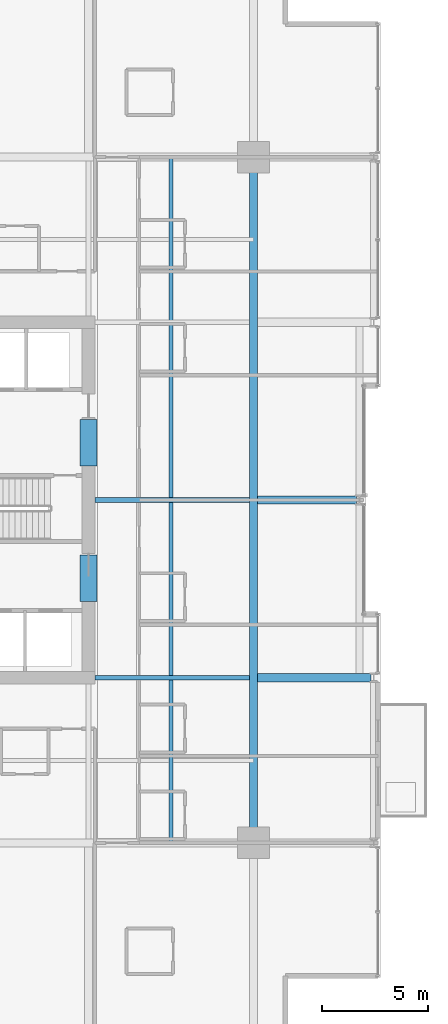
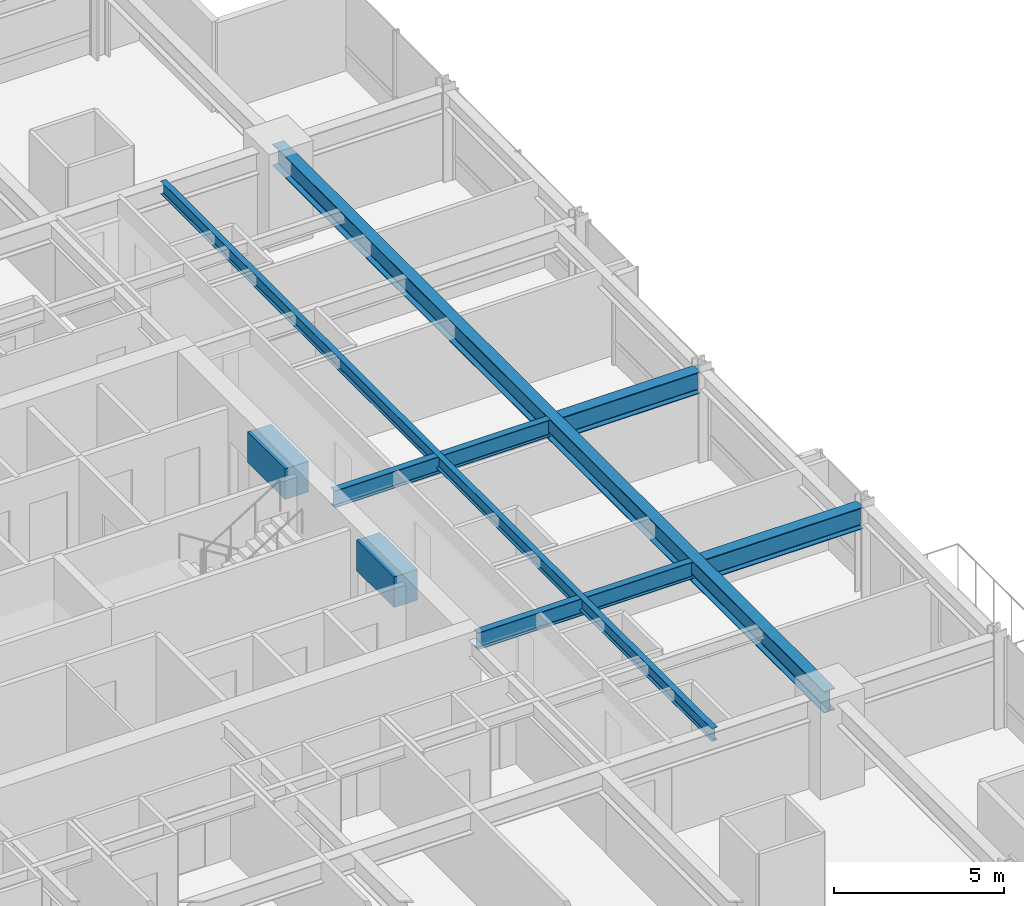
# One storey, part 14 of 35: 8 beams.
"""IFC4 building model written with IfcOpenShell, lengths in metres."""

from ifc_helpers import new_model, si_unit, direction, frame, origin, origin_2d, place, context, subcontext, project, spatial, rectangle, i_section, extrude, material, material_profile, profile_set, type_object, element, save


model = new_model("IFC4")

# Units and contexts
model_context = context("Model", 3, precision=1e-05, world=origin(), true_north=direction((0.0, 1.0)))
body_context = subcontext(model_context, "Body", "Model", "MODEL_VIEW")
ifc_project = project(units=[si_unit("LENGTHUNIT", "METRE"), si_unit("AREAUNIT", "SQUARE_METRE"), si_unit("VOLUMEUNIT", "CUBIC_METRE"), si_unit("PLANEANGLEUNIT", "RADIAN"), si_unit("MASSUNIT", "GRAM", prefix="KILO")], contexts=[model_context])

# Site, building, storey
site_placement = place(None, origin())
site = spatial("IfcSite", under=ifc_project, at=site_placement, CompositionType="ELEMENT")
building_placement = place(site_placement, origin())
building = spatial("IfcBuilding", under=site, at=building_placement, Name="Drelvath Grand Hotel", CompositionType="ELEMENT")
storey_placement = place(building_placement, frame((0.0, 0.0, 95.300048828125)))
storey = spatial("IfcBuildingStorey", under=building, at=storey_placement, Name="L23", CompositionType="ELEMENT", Elevation=95.300048828125)

# Beams
ifc_material_1 = material(Name="Steel ASTM A992 Gr 50", Category="steel")
ifc_material_profile_1 = material_profile(ifc_material_1, i_section(OverallWidth=0.19140625, OverallDepth=0.4599609375, WebThickness=0.010009765625, FlangeThickness=0.01611328125, FilletRadius=0.01611328125, at=origin_2d()), Name="W18X55")
ifc_profile_set_1 = profile_set([ifc_material_profile_1], Name="Steel ASTM A992 Gr 50")
beam_type_1 = type_object("IfcBeamType", Name="Composite Floor Joist W18X55", PredefinedType="JOIST", material=ifc_profile_set_1)
beam_1_placement = place(storey_placement, frame((12.300048828125, 10.800048828125, 3.010009765625), z_axis=(0.0, 1.0, 0.0), x_axis=(-1.0, 0.0, 0.0)))
element("IfcBeam", 1, at=beam_1_placement, inside=storey, type_object=beam_type_1, Name="L23 Wing Floor Joist J4", PredefinedType="JOIST", context=body_context, shape_type="SweptSolid", body=[
    extrude(i_section(OverallWidth=0.19140625, OverallDepth=0.4599609375, WebThickness=0.010009765625, FlangeThickness=0.01611328125, FilletRadius=0.01611328125, at=origin_2d()), origin(), (0.0, 0.0, 1.0), 32.39990234375),
])
ifc_material_2 = material(Name="Concrete f'c 70 MPa", Category="concrete")
ifc_material_profile_2 = material_profile(ifc_material_2, rectangle(XDim=0.800048828125, YDim=1.10009765625, at=origin_2d()), Name="CB800X1100")
ifc_profile_set_2 = profile_set([ifc_material_profile_2], Name="Concrete f'c 70 MPa")
beam_type_2 = type_object("IfcBeamType", Name="Core Coupling Lintel CB800X1100", PredefinedType="LINTEL", material=ifc_profile_set_2)
for number, where, z_axis, x_axis, name in (
    (2, (8.39990234375, 22.199951171875, 2.68994140625), (0.0, 1.0, 0.0), (-1.0, 0.0, 0.0), "L23 Core Coupling Lintel ES"),
    (3, (8.39990234375, 28.60009765625, 2.68994140625), (0.0, 1.0, 0.0), (-1.0, 0.0, 0.0), "L23 Core Coupling Lintel EN"),
):
    element("IfcBeam", number, at=place(storey_placement, frame(where, z_axis=z_axis, x_axis=x_axis)), inside=storey, type_object=beam_type_2, Name=name, PredefinedType="LINTEL", context=body_context, shape_type="SweptSolid", body=[
        extrude(rectangle(XDim=0.800048828125, YDim=1.10009765625, at=origin_2d()), origin(), (0.0, 0.0, 1.0), 2.199951171875),
    ])
ifc_material_profile_3 = material_profile(ifc_material_1, i_section(OverallWidth=0.228271484375, OverallDepth=0.607666015625, WebThickness=0.01123046875, FlangeThickness=0.017333984375, FilletRadius=0.02001953125, at=origin_2d()), Name="W24X76")
ifc_profile_set_3 = profile_set([ifc_material_profile_3], Name="Steel ASTM A992 Gr 50")
beam_type_3 = type_object("IfcBeamType", Name="Primary Floor Girder W24X76", PredefinedType="BEAM", material=ifc_profile_set_3)
for number, where, z_axis, x_axis, name in (
    (4, (8.699951171875, 18.60009765625, 2.93603515625), (1.0, 0.0, 0.0), (0.0, 1.0, 0.0), "L23 East Core Tie D"),
    (5, (8.699951171875, 27.0, 2.93603515625), (1.0, 0.0, 0.0), (0.0, 1.0, 0.0), "L23 East Core Tie E"),
):
    element("IfcBeam", number, at=place(storey_placement, frame(where, z_axis=z_axis, x_axis=x_axis)), inside=storey, type_object=beam_type_3, Name=name, PredefinedType="BEAM", context=body_context, shape_type="SweptSolid", body=[
        extrude(i_section(OverallWidth=0.228271484375, OverallDepth=0.607666015625, WebThickness=0.01123046875, FlangeThickness=0.017333984375, FilletRadius=0.02001953125, at=origin_2d()), origin(), (0.0, 0.0, 1.0), 7.309814453125),
    ])
ifc_material_profile_4 = material_profile(ifc_material_1, i_section(OverallWidth=0.380615234375, OverallDepth=0.773193359375, WebThickness=0.0166015625, FlangeThickness=0.027099609375, FilletRadius=0.02490234375, at=origin_2d()), Name="W30X173")
ifc_profile_set_4 = profile_set([ifc_material_profile_4], Name="Steel ASTM A992 Gr 50")
beam_type_4 = type_object("IfcBeamType", Name="Primary Floor Girder W30X173", PredefinedType="BEAM", material=ifc_profile_set_4)
beam_2_placement = place(storey_placement, frame((16.199951171875, 10.800048828125, 2.853271484375), z_axis=(0.0, 1.0, 0.0), x_axis=(-1.0, 0.0, 0.0)))
element("IfcBeam", 6, at=beam_2_placement, inside=storey, type_object=beam_type_4, Name="L23 Mega Ring Girder East", PredefinedType="BEAM", context=body_context, shape_type="SweptSolid", body=[
    extrude(i_section(OverallWidth=0.380615234375, OverallDepth=0.773193359375, WebThickness=0.0166015625, FlangeThickness=0.027099609375, FilletRadius=0.02490234375, at=origin_2d()), origin(), (0.0, 0.0, 1.0), 32.39990234375),
])
beam_3_placement = place(storey_placement, frame((16.390380859375, 18.60009765625, 2.853271484375), z_axis=(1.0, 0.0, 0.0), x_axis=(0.0, 1.0, 0.0)))
element("IfcBeam", 7, at=beam_3_placement, inside=storey, type_object=beam_type_4, Name="L23 East Wing Girder D", PredefinedType="BEAM", context=body_context, shape_type="SweptSolid", body=[
    extrude(i_section(OverallWidth=0.380615234375, OverallDepth=0.773193359375, WebThickness=0.0166015625, FlangeThickness=0.027099609375, FilletRadius=0.02490234375, at=origin_2d()), origin(), (0.0, 0.0, 1.0), 5.349609375),
])
beam_4_placement = place(storey_placement, frame((16.390380859375, 27.0, 2.853271484375), z_axis=(1.0, 0.0, 0.0), x_axis=(0.0, 1.0, 0.0)))
element("IfcBeam", 8, at=beam_4_placement, inside=storey, type_object=beam_type_4, Name="L23 East Wing Girder E", PredefinedType="BEAM", context=body_context, shape_type="SweptSolid", body=[
    extrude(i_section(OverallWidth=0.380615234375, OverallDepth=0.773193359375, WebThickness=0.0166015625, FlangeThickness=0.027099609375, FilletRadius=0.02490234375, at=origin_2d()), origin(), (0.0, 0.0, 1.0), 4.669677734375),
])

save(model, "model.ifc")
